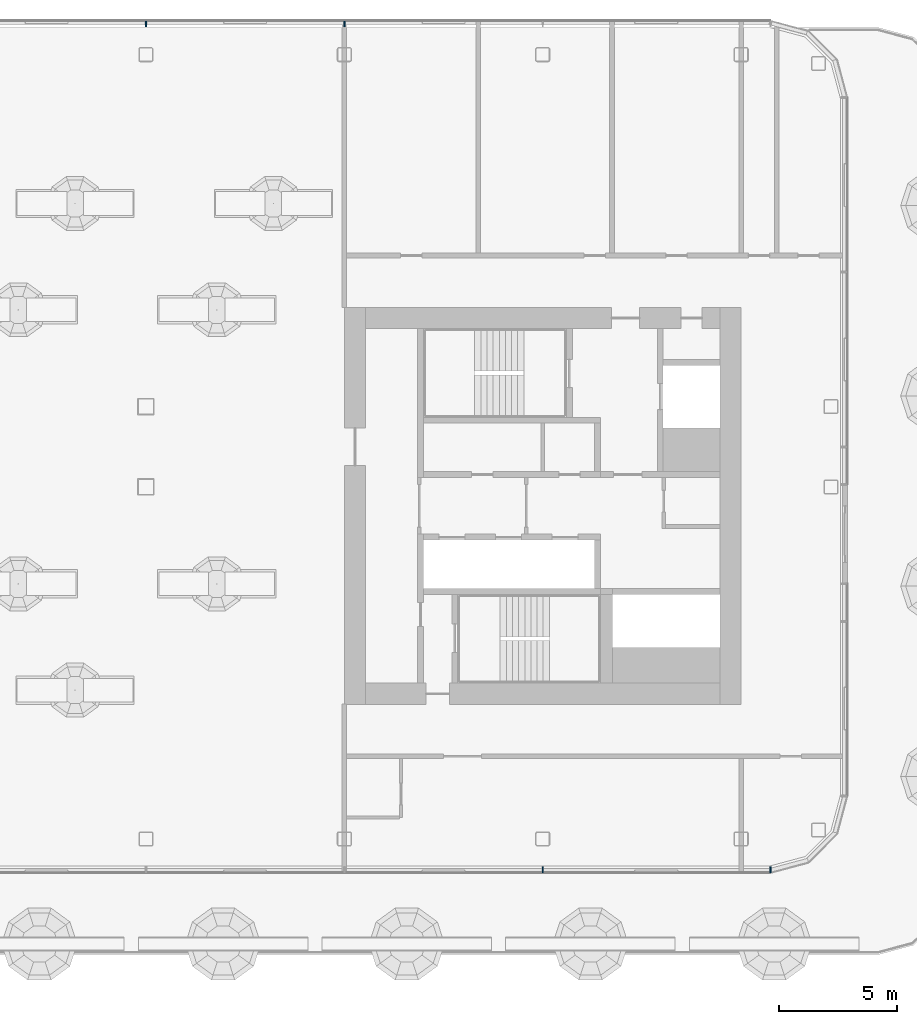
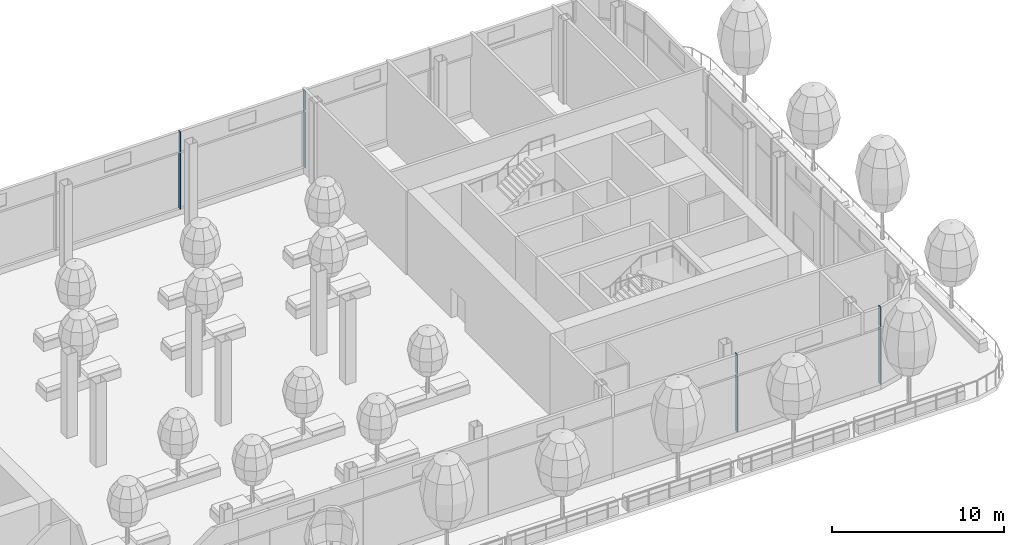
# One storey, part 7 of 41: 8 members, 2 elements without a shape of their own.
"""IFC4 building model written with IfcOpenShell, lengths in metres."""

from ifc_helpers import new_model, si_unit, direction, frame, origin, origin_2d, place, context, subcontext, project, spatial, rectangle, extrude, material, layer, layer_set, material_profile, profile_set, type_object, element, aggregate, save


model = new_model("IFC4")

# Units and contexts
model_context = context("Model", 3, precision=1e-05, world=origin(), true_north=direction((0.0, 1.0)))
body_context = subcontext(model_context, "Body", "Model", "MODEL_VIEW")
ifc_project = project(units=[si_unit("LENGTHUNIT", "METRE"), si_unit("AREAUNIT", "SQUARE_METRE"), si_unit("VOLUMEUNIT", "CUBIC_METRE"), si_unit("PLANEANGLEUNIT", "RADIAN"), si_unit("MASSUNIT", "GRAM", prefix="KILO")], contexts=[model_context])

# Site, building, storey
site_placement = place(None, origin())
site = spatial("IfcSite", under=ifc_project, at=site_placement, CompositionType="ELEMENT")
building_placement = place(site_placement, origin())
building = spatial("IfcBuilding", under=site, at=building_placement, Name="Hakoniwa Tower and Hamabe Station Hall", CompositionType="ELEMENT")
storey_placement = place(building_placement, frame((0.0, 0.0, 180.199951171875)))
storey = spatial("IfcBuildingStorey", under=building, at=storey_placement, Name="L51", CompositionType="ELEMENT", Elevation=180.199951171875)

# Curtain wall, members
ifc_material_1 = material(Name="Dark low-e laminated glass", Category="glass")
ifc_layer = layer(ifc_material_1, 0.199951171875)
ifc_layer_set = layer_set([ifc_layer], Name="CW-2 SKY GARDEN")
curtain_wall_type = type_object("IfcCurtainWallType", Name="CW-2 SKY GARDEN", PredefinedType="NOTDEFINED", material=ifc_layer_set)
curtain_wall_1_placement = place(storey_placement, origin())
curtain_wall_1 = element("IfcCurtainWall", 1, at=curtain_wall_1_placement, inside=storey, type_object=curtain_wall_type, Name="CW-2 curtain wall", PredefinedType="NOTDEFINED")
ifc_material_2 = material(Name="Aluminium 6063-T5 black anodised", Category="aluminium")
ifc_material_profile = material_profile(ifc_material_2, rectangle(XDim=0.06005859375, YDim=0.239990234375, at=origin_2d()), Name="CW-2 MULLION 60X240")
ifc_profile_set = profile_set([ifc_material_profile], Name="Aluminium 6063-T5 black anodised")
member_type = type_object("IfcMemberType", Name="CW-2 MULLION 60X240", PredefinedType="MULLION", material=ifc_profile_set)
member_1_placement = place(storey_placement, frame((16.800048828125, 20.402099609375, 0.35009765625), z_axis=(0.0, 0.0, 1.0), x_axis=(-1.0, 0.0, 0.0)))
member_1 = element("IfcMember", 2, at=member_1_placement, type_object=member_type, Name="CW-2 mullion", PredefinedType="MULLION", context=body_context, shape_type="SweptSolid", body=[
    extrude(rectangle(XDim=0.06005859375, YDim=0.239990234375, at=origin_2d()), origin(), (0.0, 0.0, 1.0), 3.97998046875),
])
member_2_placement = place(storey_placement, frame((16.800048828125, 20.402099609375, 4.449951171875), z_axis=(0.0, 0.0, 1.0), x_axis=(-1.0, 0.0, 0.0)))
member_2 = element("IfcMember", 3, at=member_2_placement, type_object=member_type, Name="CW-2 mullion", PredefinedType="MULLION", context=body_context, shape_type="SweptSolid", body=[
    extrude(rectangle(XDim=0.06005859375, YDim=0.239990234375, at=origin_2d()), origin(), (0.0, 0.0, 1.0), 1.400146484375),
])
member_3_placement = place(storey_placement, frame((8.39990234375, 20.402099609375, 0.35009765625), z_axis=(0.0, 0.0, 1.0), x_axis=(-1.0, 0.0, 0.0)))
member_3 = element("IfcMember", 4, at=member_3_placement, type_object=member_type, Name="CW-2 mullion", PredefinedType="MULLION", context=body_context, shape_type="SweptSolid", body=[
    extrude(rectangle(XDim=0.06005859375, YDim=0.239990234375, at=origin_2d()), origin(), (0.0, 0.0, 1.0), 3.97998046875),
])
member_4_placement = place(storey_placement, frame((8.39990234375, 20.402099609375, 4.449951171875), z_axis=(0.0, 0.0, 1.0), x_axis=(-1.0, 0.0, 0.0)))
member_4 = element("IfcMember", 5, at=member_4_placement, type_object=member_type, Name="CW-2 mullion", PredefinedType="MULLION", context=body_context, shape_type="SweptSolid", body=[
    extrude(rectangle(XDim=0.06005859375, YDim=0.239990234375, at=origin_2d()), origin(), (0.0, 0.0, 1.0), 1.400146484375),
])
aggregate(curtain_wall_1, [member_1, member_2, member_3, member_4])

curtain_wall_2_placement = place(storey_placement, origin())
curtain_wall_2 = element("IfcCurtainWall", 6, at=curtain_wall_2_placement, inside=storey, type_object=curtain_wall_type, Name="CW-2 curtain wall", PredefinedType="NOTDEFINED")
member_5_placement = place(storey_placement, frame((25.199951171875, -15.402099609375, 0.35009765625), z_axis=(0.0, 0.0, 1.0), x_axis=(1.0, 0.0, 0.0)))
member_5 = element("IfcMember", 7, at=member_5_placement, type_object=member_type, Name="CW-2 mullion", PredefinedType="MULLION", context=body_context, shape_type="SweptSolid", body=[
    extrude(rectangle(XDim=0.06005859375, YDim=0.239990234375, at=origin_2d()), origin(), (0.0, 0.0, 1.0), 3.97998046875),
])
member_6_placement = place(storey_placement, frame((25.199951171875, -15.402099609375, 4.449951171875), z_axis=(0.0, 0.0, 1.0), x_axis=(1.0, 0.0, 0.0)))
member_6 = element("IfcMember", 8, at=member_6_placement, type_object=member_type, Name="CW-2 mullion", PredefinedType="MULLION", context=body_context, shape_type="SweptSolid", body=[
    extrude(rectangle(XDim=0.06005859375, YDim=0.239990234375, at=origin_2d()), origin(), (0.0, 0.0, 1.0), 1.400146484375),
])
member_7_placement = place(storey_placement, frame((34.839599609375, -15.402099609375, 0.35009765625), z_axis=(0.0, 0.0, 1.0), x_axis=(1.0, 0.0, 0.0)))
member_7 = element("IfcMember", 9, at=member_7_placement, type_object=member_type, Name="CW-2 mullion", PredefinedType="MULLION", context=body_context, shape_type="SweptSolid", body=[
    extrude(rectangle(XDim=0.06005859375, YDim=0.239990234375, at=origin_2d()), origin(), (0.0, 0.0, 1.0), 3.97998046875),
])
member_8_placement = place(storey_placement, frame((34.839599609375, -15.402099609375, 4.449951171875), z_axis=(0.0, 0.0, 1.0), x_axis=(1.0, 0.0, 0.0)))
member_8 = element("IfcMember", 10, at=member_8_placement, type_object=member_type, Name="CW-2 mullion", PredefinedType="MULLION", context=body_context, shape_type="SweptSolid", body=[
    extrude(rectangle(XDim=0.06005859375, YDim=0.239990234375, at=origin_2d()), origin(), (0.0, 0.0, 1.0), 1.400146484375),
])
aggregate(curtain_wall_2, [member_5, member_6, member_7, member_8])

save(model, "model.ifc")
